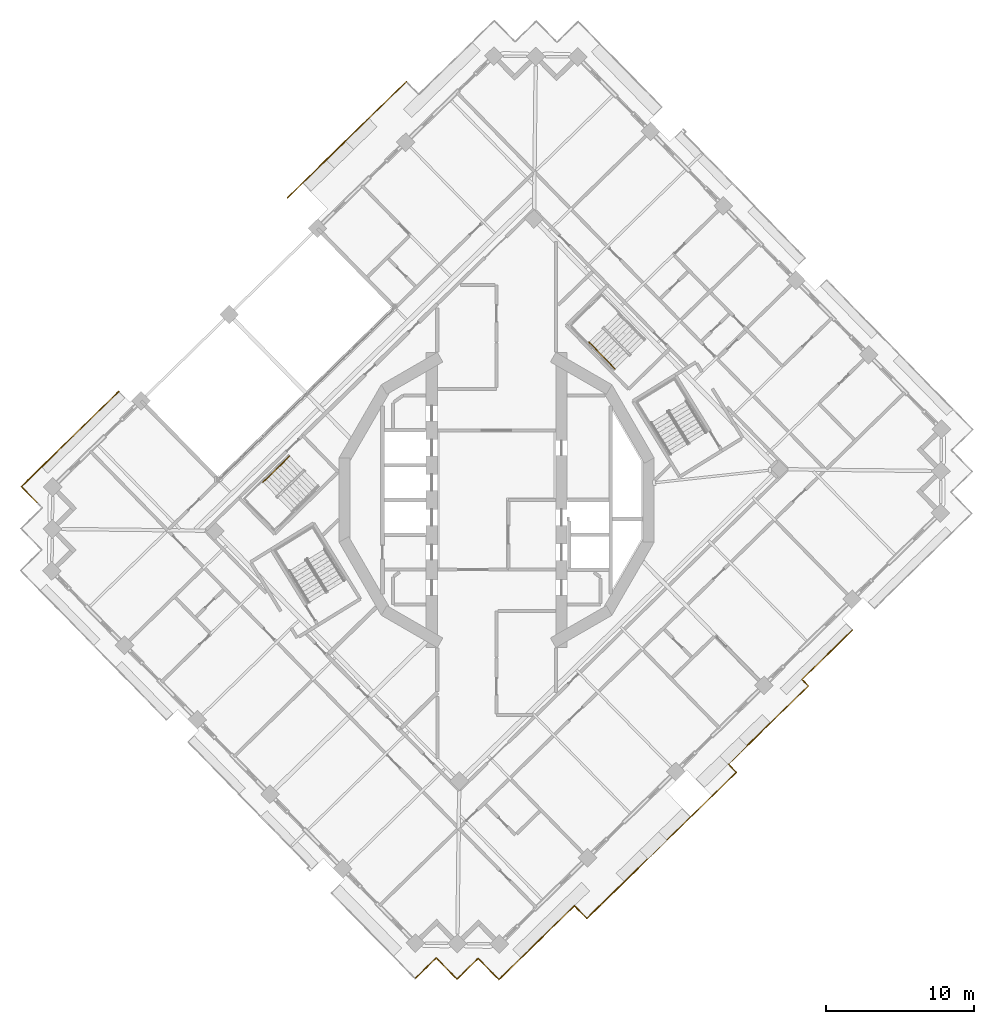
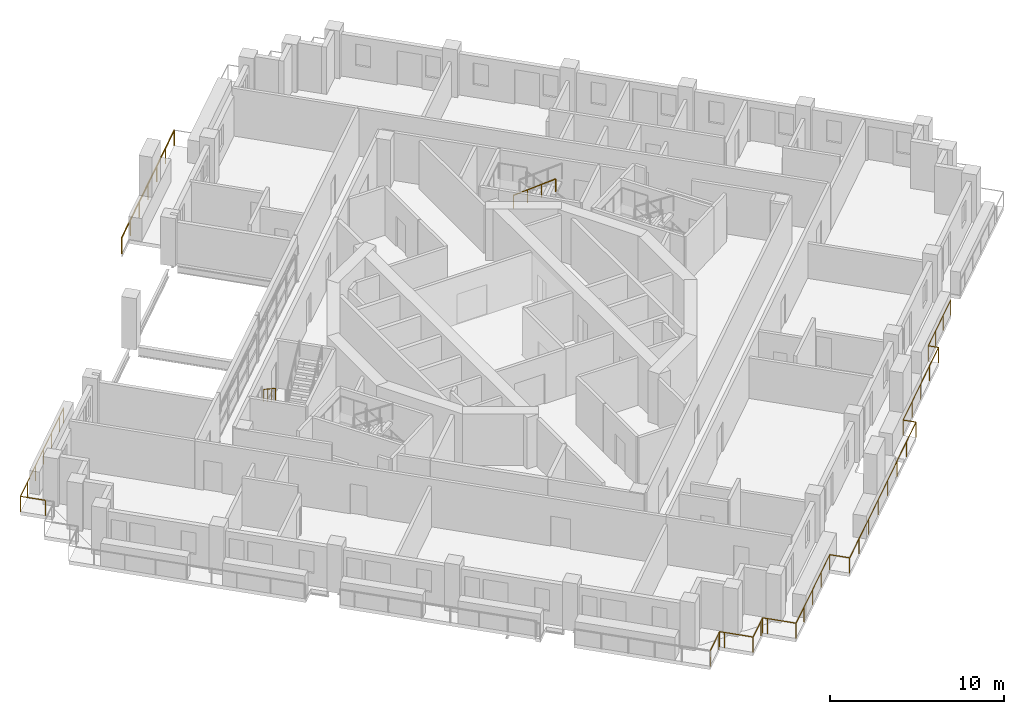
# One storey, part 18 of 21: 5 railings.
"""IFC4 building model written with IfcOpenShell, lengths in metres."""

from ifc_helpers import new_model, si_unit, direction, frame, origin, origin_2d, place, context, subcontext, project, spatial, circle, extrude, material, type_object, element, save


model = new_model("IFC4")

# Units and contexts
model_context = context("Model", 3, precision=1e-05, world=origin(), true_north=direction((0.0, 1.0)))
body_context = subcontext(model_context, "Body", "Model", "MODEL_VIEW")
ifc_project = project(units=[si_unit("LENGTHUNIT", "METRE"), si_unit("AREAUNIT", "SQUARE_METRE"), si_unit("VOLUMEUNIT", "CUBIC_METRE"), si_unit("PLANEANGLEUNIT", "RADIAN"), si_unit("MASSUNIT", "GRAM", prefix="KILO")], contexts=[model_context])

# Site, building, storey
site_placement = place(None, origin())
site = spatial("IfcSite", under=ifc_project, at=site_placement, CompositionType="ELEMENT")
building_placement = place(site_placement, origin())
building = spatial("IfcBuilding", under=site, at=building_placement, Name="Cantera Rosa Tower", CompositionType="ELEMENT")
storey_placement = place(building_placement, frame((0.0, 0.0, 230.60009765625)))
storey = spatial("IfcBuildingStorey", under=building, at=storey_placement, Name="L50", CompositionType="ELEMENT", Elevation=230.60009765625)

# Railings
ifc_material_1 = material(Name="Stainless steel and laminated glass", Category="steel")
railing_type_1 = type_object("IfcRailingType", Name="GUARD 1100", PredefinedType="BALUSTRADE", material=ifc_material_1)
railing_1_placement = place(storey_placement, frame((-31.0107421875, -0.16943359375, 0.0)))
element("IfcRailing", 1, at=railing_1_placement, inside=storey, type_object=railing_type_1, Name="GUARD L50-2", PredefinedType="BALUSTRADE", context=body_context, shape_type="SweptSolid", body=[
    extrude(circle(Radius=0.030029296875, at=origin_2d()), frame((0.0, 0.0, 1.070068359375), z_axis=(-0.698838323933, 0.71527966349, 0.0), x_axis=(-0.71527966349, -0.698838323933, 0.0)), (0.0, 0.0, 1.0), 1.499755859375),
    extrude(circle(Radius=0.030029296875, at=origin_2d()), frame((-1.048095703125, 1.07275390625, 1.070068359375), z_axis=(0.71519829713, 0.698921594874, 0.0), x_axis=(-0.698921594874, 0.71519829713, 0.0)), (0.0, 0.0, 1.0), 1.5),
    extrude(circle(Radius=0.030029296875, at=origin_2d()), frame((0.024658203125, 2.12109375, 1.070068359375), z_axis=(0.71527874674, 0.69883926225, 0.0), x_axis=(-0.69883926225, 0.71527874674, 0.0)), (0.0, 0.0, 1.0), 6.816650390625),
    extrude(circle(Radius=0.030029296875, at=origin_2d()), frame((4.900390625, 6.884765625, 1.070068359375), z_axis=(-0.668964731622, 0.743294146247, 0.0), x_axis=(-0.743294146247, -0.668964731622, 0.0)), (0.0, 0.0, 1.0), 0.003173828125),
    extrude(circle(Radius=0.030029296875, at=origin_2d()), frame((4.898193359375, 6.88720703125, 1.070068359375), z_axis=(0.715304688836, 0.698812708906, 0.0), x_axis=(-0.698812708906, 0.715304688836, 0.0)), (0.0, 0.0, 1.0), 0.873291015625),
    extrude(circle(Radius=0.02490234375, at=origin_2d()), origin(), (0.0, 0.0, 1.0), 1.0400390625),
    extrude(circle(Radius=0.02490234375, at=origin_2d()), frame((-1.048095703125, 1.07275390625, 0.0)), (0.0, 0.0, 1.0), 1.0400390625),
    extrude(circle(Radius=0.02490234375, at=origin_2d()), frame((0.024658203125, 2.12109375, 0.0)), (0.0, 0.0, 1.0), 1.0400390625),
    extrude(circle(Radius=0.02490234375, at=origin_2d()), frame((1.24365234375, 3.31201171875, 0.0)), (0.0, 0.0, 1.0), 1.0400390625),
    extrude(circle(Radius=0.02490234375, at=origin_2d()), frame((2.46240234375, 4.5029296875, 0.0)), (0.0, 0.0, 1.0), 1.0400390625),
    extrude(circle(Radius=0.02490234375, at=origin_2d()), frame((3.681396484375, 5.69384765625, 0.0)), (0.0, 0.0, 1.0), 1.0400390625),
    extrude(circle(Radius=0.02490234375, at=origin_2d()), frame((4.900390625, 6.884765625, 0.0)), (0.0, 0.0, 1.0), 1.0400390625),
    extrude(circle(Radius=0.02490234375, at=origin_2d()), frame((4.898193359375, 6.88720703125, 0.0)), (0.0, 0.0, 1.0), 1.0400390625),
    extrude(circle(Radius=0.02490234375, at=origin_2d()), frame((5.52294921875, 7.49755859375, 0.0)), (0.0, 0.0, 1.0), 1.0400390625),
])
railing_2_placement = place(storey_placement, frame((-14.096923828125, 20.381591796875, 0.0)))
element("IfcRailing", 2, at=railing_2_placement, inside=storey, type_object=railing_type_1, Name="GUARD L50-5", PredefinedType="BALUSTRADE", context=body_context, shape_type="SweptSolid", body=[
    extrude(circle(Radius=0.030029296875, at=origin_2d()), frame((0.0, 0.0, 1.070068359375), z_axis=(-0.699117631924, 0.715006669013, 0.0), x_axis=(-0.715006669013, -0.699117631924, 0.0)), (0.0, 0.0, 1.0), 0.015380859375),
    extrude(circle(Radius=0.030029296875, at=origin_2d()), frame((-0.0107421875, 0.010986328125, 1.070068359375), z_axis=(0.715287352632, 0.698830453804, 0.0), x_axis=(-0.698830453804, 0.715287352632, 0.0)), (0.0, 0.0, 1.0), 11.21533203125),
    extrude(circle(Radius=0.02490234375, at=origin_2d()), origin(), (0.0, 0.0, 1.0), 1.0400390625),
    extrude(circle(Radius=0.02490234375, at=origin_2d()), frame((-0.0107421875, 0.010986328125, 0.0)), (0.0, 0.0, 1.0), 1.0400390625),
    extrude(circle(Radius=0.02490234375, at=origin_2d()), frame((1.326171875, 1.3173828125, 0.0)), (0.0, 0.0, 1.0), 1.0400390625),
    extrude(circle(Radius=0.02490234375, at=origin_2d()), frame((2.663330078125, 2.62353515625, 0.0)), (0.0, 0.0, 1.0), 1.0400390625),
    extrude(circle(Radius=0.02490234375, at=origin_2d()), frame((4.00048828125, 3.9296875, 0.0)), (0.0, 0.0, 1.0), 1.0400390625),
    extrude(circle(Radius=0.02490234375, at=origin_2d()), frame((5.33740234375, 5.236083984375, 0.0)), (0.0, 0.0, 1.0), 1.0400390625),
    extrude(circle(Radius=0.02490234375, at=origin_2d()), frame((6.67431640625, 6.54248046875, 0.0)), (0.0, 0.0, 1.0), 1.0400390625),
    extrude(circle(Radius=0.02490234375, at=origin_2d()), frame((8.011474609375, 7.8486328125, 0.0)), (0.0, 0.0, 1.0), 1.0400390625),
])
railing_3_placement = place(storey_placement, frame((24.014404296875, -8.767822265625, 0.0)))
element("IfcRailing", 3, at=railing_3_placement, inside=storey, type_object=railing_type_1, Name="GUARD L50-7", PredefinedType="BALUSTRADE", context=body_context, shape_type="SweptSolid", body=[
    extrude(circle(Radius=0.030029296875, at=origin_2d()), frame((0.0, 0.0, 1.070068359375), z_axis=(-0.715297651663, -0.698819912084, 0.0), x_axis=(0.698819912084, -0.715297651663, 0.0)), (0.0, 0.0, 1.0), 4.77099609375),
    extrude(circle(Radius=0.030029296875, at=origin_2d()), frame((-3.41259765625, -3.333984375, 1.070068359375), z_axis=(0.69873008464, -0.715385398802, 0.0), x_axis=(0.715385398802, 0.69873008464, 0.0)), (0.0, 0.0, 1.0), 0.61572265625),
    extrude(circle(Radius=0.030029296875, at=origin_2d()), frame((-2.982421875, -3.7744140625, 1.070068359375), z_axis=(-0.715295288372, -0.698822331092, 0.0), x_axis=(0.698822331092, -0.715295288372, 0.0)), (0.0, 0.0, 1.0), 7.543701171875),
    extrude(circle(Radius=0.030029296875, at=origin_2d()), frame((-8.37841796875, -9.046142578125, 1.070068359375), z_axis=(0.698881757266, -0.715237225933, 0.0), x_axis=(0.715237225933, 0.698881757266, 0.0)), (0.0, 0.0, 1.0), 0.776123046875),
    extrude(circle(Radius=0.030029296875, at=origin_2d()), frame((-7.8359375, -9.601318359375, 1.070068359375), z_axis=(-0.715277417683, -0.698840622569, 0.0), x_axis=(0.698840622569, -0.715277417683, 0.0)), (0.0, 0.0, 1.0), 14.110595703125),
    extrude(circle(Radius=0.030029296875, at=origin_2d()), frame((-17.928955078125, -19.46240234375, 1.070068359375), z_axis=(-0.698890211106, 0.715228965311, 0.0), x_axis=(-0.715228965311, -0.698890211106, 0.0)), (0.0, 0.0, 1.0), 1.1953125),
    extrude(circle(Radius=0.030029296875, at=origin_2d()), frame((-18.764404296875, -18.607421875, 1.070068359375), z_axis=(-0.715295079704, -0.698822544678, 0.0), x_axis=(0.698822544678, -0.715295079704, 0.0)), (0.0, 0.0, 1.0), 5.424560546875),
    extrude(circle(Radius=0.030029296875, at=origin_2d()), frame((-22.64453125, -22.398193359375, 1.070068359375), z_axis=(-0.715316077832, -0.69880105094, 0.0), x_axis=(0.69880105094, -0.715316077832, 0.0)), (0.0, 0.0, 1.0), 1.699951171875),
    extrude(circle(Radius=0.030029296875, at=origin_2d()), frame((-23.860595703125, -23.586181640625, 1.070068359375), z_axis=(-0.698872839675, 0.715245939495, 0.0), x_axis=(-0.715245939495, -0.698872839675, 0.0)), (0.0, 0.0, 1.0), 1.699951171875),
    extrude(circle(Radius=0.030029296875, at=origin_2d()), frame((-25.048583984375, -22.370361328125, 1.070068359375), z_axis=(-0.698506948293, 0.715603272202, 0.0), x_axis=(-0.715603272202, -0.698506948293, 0.0)), (0.0, 0.0, 1.0), 0.2998046875),
    extrude(circle(Radius=0.030029296875, at=origin_2d()), frame((-25.258056640625, -22.15576171875, 1.070068359375), z_axis=(-0.715196445894, -0.698923489218, 0.0), x_axis=(0.698923489218, -0.715196445894, 0.0)), (0.0, 0.0, 1.0), 0.300048828125),
    extrude(circle(Radius=0.030029296875, at=origin_2d()), frame((-25.47265625, -22.365478515625, 1.070068359375), z_axis=(-0.715316077832, -0.69880105094, 0.0), x_axis=(0.69880105094, -0.715316077832, 0.0)), (0.0, 0.0, 1.0), 1.699951171875),
    extrude(circle(Radius=0.030029296875, at=origin_2d()), frame((-26.688720703125, -23.553466796875, 1.070068359375), z_axis=(-0.69880105094, 0.715316077832, 0.0), x_axis=(-0.715316077832, -0.69880105094, 0.0)), (0.0, 0.0, 1.0), 1.699951171875),
    extrude(circle(Radius=0.030029296875, at=origin_2d()), frame((-27.876708984375, -22.33740234375, 1.070068359375), z_axis=(-0.698923489218, 0.715196445894, 0.0), x_axis=(-0.715196445894, -0.698923489218, 0.0)), (0.0, 0.0, 1.0), 0.300048828125),
    extrude(circle(Radius=0.030029296875, at=origin_2d()), frame((-28.08642578125, -22.122802734375, 1.070068359375), z_axis=(-0.715196445894, -0.698923489218, 0.0), x_axis=(0.698923489218, -0.715196445894, 0.0)), (0.0, 0.0, 1.0), 0.300048828125),
    extrude(circle(Radius=0.030029296875, at=origin_2d()), frame((-28.301025390625, -22.33251953125, 1.070068359375), z_axis=(-0.715316077832, -0.69880105094, 0.0), x_axis=(0.69880105094, -0.715316077832, 0.0)), (0.0, 0.0, 1.0), 1.699951171875),
    extrude(circle(Radius=0.02490234375, at=origin_2d()), origin(), (0.0, 0.0, 1.0), 1.0400390625),
    extrude(circle(Radius=0.02490234375, at=origin_2d()), frame((-1.137451171875, -1.111328125, 0.0)), (0.0, 0.0, 1.0), 1.0400390625),
    extrude(circle(Radius=0.02490234375, at=origin_2d()), frame((-2.275146484375, -2.22265625, 0.0)), (0.0, 0.0, 1.0), 1.0400390625),
    extrude(circle(Radius=0.02490234375, at=origin_2d()), frame((-3.41259765625, -3.333984375, 0.0)), (0.0, 0.0, 1.0), 1.0400390625),
    extrude(circle(Radius=0.02490234375, at=origin_2d()), frame((-2.982421875, -3.7744140625, 0.0)), (0.0, 0.0, 1.0), 1.0400390625),
    extrude(circle(Radius=0.02490234375, at=origin_2d()), frame((-4.33154296875, -5.09228515625, 0.0)), (0.0, 0.0, 1.0), 1.0400390625),
    extrude(circle(Radius=0.02490234375, at=origin_2d()), frame((-5.680419921875, -6.41015625, 0.0)), (0.0, 0.0, 1.0), 1.0400390625),
    extrude(circle(Radius=0.02490234375, at=origin_2d()), frame((-7.029296875, -7.728271484375, 0.0)), (0.0, 0.0, 1.0), 1.0400390625),
    extrude(circle(Radius=0.02490234375, at=origin_2d()), frame((-8.37841796875, -9.046142578125, 0.0)), (0.0, 0.0, 1.0), 1.0400390625),
    extrude(circle(Radius=0.02490234375, at=origin_2d()), frame((-7.8359375, -9.601318359375, 0.0)), (0.0, 0.0, 1.0), 1.0400390625),
    extrude(circle(Radius=0.02490234375, at=origin_2d()), frame((-9.27783203125, -11.010009765625, 0.0)), (0.0, 0.0, 1.0), 1.0400390625),
    extrude(circle(Radius=0.02490234375, at=origin_2d()), frame((-10.7197265625, -12.418701171875, 0.0)), (0.0, 0.0, 1.0), 1.0400390625),
    extrude(circle(Radius=0.02490234375, at=origin_2d()), frame((-12.16162109375, -13.827392578125, 0.0)), (0.0, 0.0, 1.0), 1.0400390625),
    extrude(circle(Radius=0.02490234375, at=origin_2d()), frame((-13.603271484375, -15.236328125, 0.0)), (0.0, 0.0, 1.0), 1.0400390625),
    extrude(circle(Radius=0.02490234375, at=origin_2d()), frame((-15.045166015625, -16.64501953125, 0.0)), (0.0, 0.0, 1.0), 1.0400390625),
    extrude(circle(Radius=0.02490234375, at=origin_2d()), frame((-16.487060546875, -18.0537109375, 0.0)), (0.0, 0.0, 1.0), 1.0400390625),
    extrude(circle(Radius=0.02490234375, at=origin_2d()), frame((-17.928955078125, -19.46240234375, 0.0)), (0.0, 0.0, 1.0), 1.0400390625),
    extrude(circle(Radius=0.02490234375, at=origin_2d()), frame((-18.764404296875, -18.607421875, 0.0)), (0.0, 0.0, 1.0), 1.0400390625),
    extrude(circle(Radius=0.02490234375, at=origin_2d()), frame((-20.057861328125, -19.87109375, 0.0)), (0.0, 0.0, 1.0), 1.0400390625),
    extrude(circle(Radius=0.02490234375, at=origin_2d()), frame((-21.35107421875, -21.134521484375, 0.0)), (0.0, 0.0, 1.0), 1.0400390625),
    extrude(circle(Radius=0.02490234375, at=origin_2d()), frame((-22.64453125, -22.398193359375, 0.0)), (0.0, 0.0, 1.0), 1.0400390625),
    extrude(circle(Radius=0.02490234375, at=origin_2d()), frame((-23.860595703125, -23.586181640625, 0.0)), (0.0, 0.0, 1.0), 1.0400390625),
    extrude(circle(Radius=0.02490234375, at=origin_2d()), frame((-25.048583984375, -22.370361328125, 0.0)), (0.0, 0.0, 1.0), 1.0400390625),
    extrude(circle(Radius=0.02490234375, at=origin_2d()), frame((-25.258056640625, -22.15576171875, 0.0)), (0.0, 0.0, 1.0), 1.0400390625),
    extrude(circle(Radius=0.02490234375, at=origin_2d()), frame((-25.47265625, -22.365478515625, 0.0)), (0.0, 0.0, 1.0), 1.0400390625),
    extrude(circle(Radius=0.02490234375, at=origin_2d()), frame((-26.688720703125, -23.553466796875, 0.0)), (0.0, 0.0, 1.0), 1.0400390625),
    extrude(circle(Radius=0.02490234375, at=origin_2d()), frame((-27.876708984375, -22.33740234375, 0.0)), (0.0, 0.0, 1.0), 1.0400390625),
    extrude(circle(Radius=0.02490234375, at=origin_2d()), frame((-28.08642578125, -22.122802734375, 0.0)), (0.0, 0.0, 1.0), 1.0400390625),
    extrude(circle(Radius=0.02490234375, at=origin_2d()), frame((-28.301025390625, -22.33251953125, 0.0)), (0.0, 0.0, 1.0), 1.0400390625),
    extrude(circle(Radius=0.02490234375, at=origin_2d()), frame((-29.51708984375, -23.5205078125, 0.0)), (0.0, 0.0, 1.0), 1.0400390625),
])
ifc_material_2 = material(Name="Steel S355J2 (EN 10025-2)", Category="steel")
railing_type_2 = type_object("IfcRailingType", Name="STAIR HANDRAIL 900", PredefinedType="HANDRAIL", material=ifc_material_2)
railing_4_placement = place(storey_placement, frame((6.23388671875, 10.64013671875, 1.97998046875)))
element("IfcRailing", 4, at=railing_4_placement, inside=storey, type_object=railing_type_2, Name="L50 ST-42 stair handrail 2", PredefinedType="HANDRAIL", context=body_context, shape_type="SweptSolid", body=[
    extrude(circle(Radius=0.02392578125, at=origin_2d()), frame((0.0, 0.0, 0.8759765625), z_axis=(0.587844099419, -0.60169873645, 0.540738333515), x_axis=(0.715293958342, 0.698823692472, 0.0)), (0.0, 0.0, 1.0), 2.99560546875),
    extrude(circle(Radius=0.02099609375, at=origin_2d()), origin(), (0.0, 0.0, 1.0), 0.851806640625),
    extrude(circle(Radius=0.02099609375, at=origin_2d()), frame((0.5869140625, -0.600830078125, 0.5400390625)), (0.0, 0.0, 1.0), 0.851806640625),
    extrude(circle(Radius=0.02099609375, at=origin_2d()), frame((1.174072265625, -1.20166015625, 1.079833984375)), (0.0, 0.0, 1.0), 0.851806640625),
    extrude(circle(Radius=0.02099609375, at=origin_2d()), frame((1.760986328125, -1.802490234375, 1.619873046875)), (0.0, 0.0, 1.0), 0.851806640625),
])
railing_5_placement = place(storey_placement, frame((-13.95947265625, 2.9619140625, 0.179931640625)))
element("IfcRailing", 5, at=railing_5_placement, inside=storey, type_object=railing_type_2, Name="L50 ST-43 stair handrail 1", PredefinedType="HANDRAIL", context=body_context, shape_type="SweptSolid", body=[
    extrude(circle(Radius=0.02392578125, at=origin_2d()), frame((0.0, 0.0, 0.8759765625), z_axis=(-0.60169873645, -0.587844099419, 0.540738333515), x_axis=(0.698823692472, -0.715293958342, 0.0)), (0.0, 0.0, 1.0), 2.99560546875),
    extrude(circle(Radius=0.02099609375, at=origin_2d()), origin(), (0.0, 0.0, 1.0), 0.851806640625),
    extrude(circle(Radius=0.02099609375, at=origin_2d()), frame((-0.600830078125, -0.5869140625, 0.5400390625)), (0.0, 0.0, 1.0), 0.851806640625),
    extrude(circle(Radius=0.02099609375, at=origin_2d()), frame((-1.20166015625, -1.174072265625, 1.079833984375)), (0.0, 0.0, 1.0), 0.851806640625),
    extrude(circle(Radius=0.02099609375, at=origin_2d()), frame((-1.802490234375, -1.760986328125, 1.619873046875)), (0.0, 0.0, 1.0), 0.851806640625),
])

save(model, "model.ifc")
